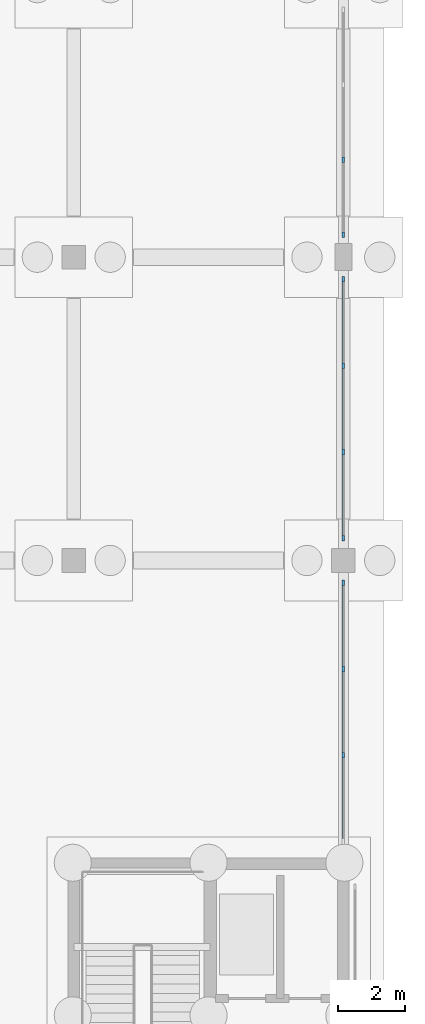
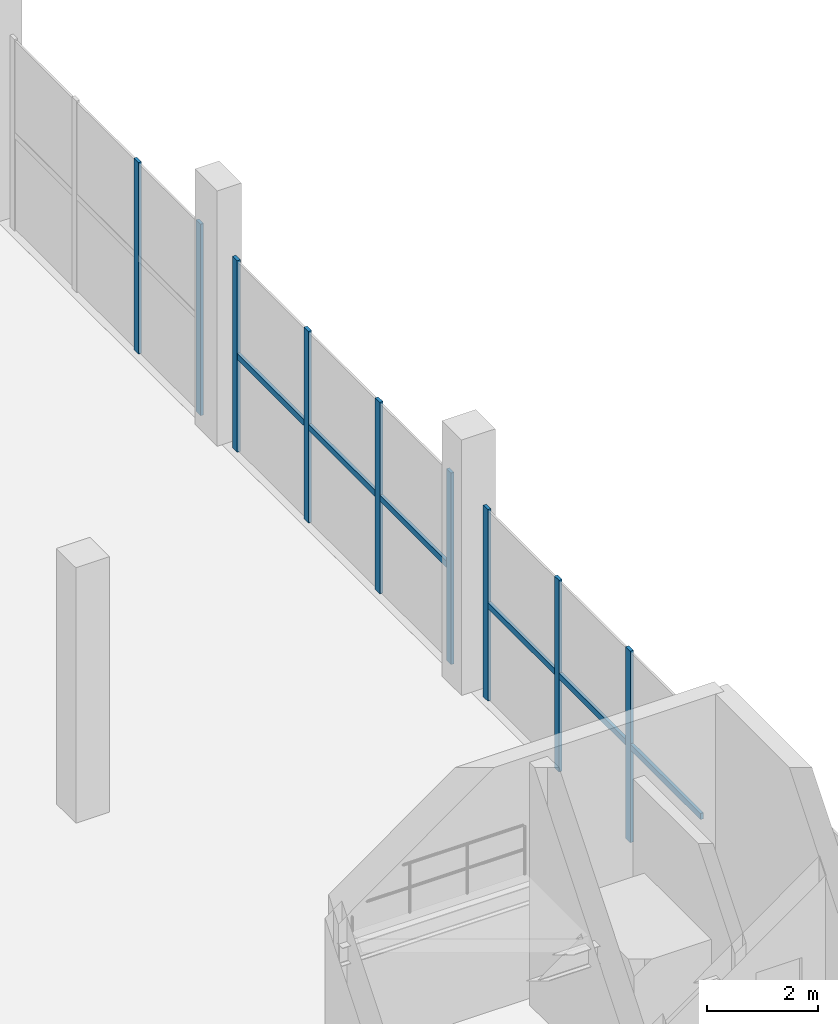
# One storey, part 57 of 98: 11 members, 3 elements without a shape of their own.
"""IFC4 building model written with IfcOpenShell, lengths in metres."""

import ifcopenshell
import ifcopenshell.guid

model = None  # the IFC model being written
_history = None  # IfcOwnerHistory: only IFC2X3 demands one
_inside = {}  # id of a spatial element -> (the spatial element, [elements in it])
_under = {}  # id of a project, library or spatial element -> (it, [spatial elements below it])
_declared = {}  # id of a project -> (the project, [libraries it declares])
_typed = {}  # id of a type object -> (the type object, [elements of that type])
_made_of = {}  # id of a material, layer set ... -> (it, [elements and type objects made of it])


def new_model(schema):
    """Start an empty IFC model of exactly this schema.

    Asked for "IFC4X3", IfcOpenShell would pick the latest addendum, in which some entities
    have other attributes; the version numbers below select the first issue.
    IFC2X3 requires an IfcOwnerHistory on every rooted entity: one is made here for all.
    """
    global model, _history
    if schema == "IFC4X3":
        model = ifcopenshell.file(schema_version=(4, 3, 0, 0))
    else:
        model = ifcopenshell.file(schema=schema)
    _inside.clear()
    _under.clear()
    _declared.clear()
    _typed.clear()
    _made_of.clear()
    _history = None
    if model.schema == "IFC2X3":
        org = make("IfcOrganization", Name="unknown")
        user = make(
            "IfcPersonAndOrganization",
            ThePerson=make("IfcPerson", FamilyName="unknown"),
            TheOrganization=org,
        )
        app = make(
            "IfcApplication",
            ApplicationDeveloper=org,
            Version="unknown",
            ApplicationFullName="unknown",
            ApplicationIdentifier="unknown",
        )
        _history = make(
            "IfcOwnerHistory",
            OwningUser=user,
            OwningApplication=app,
            ChangeAction="ADDED",
            CreationDate=0,
        )
    return model


def make(cls, **values):
    """One entity of the class cls with the attributes given. An attribute that is None is left unset."""
    return model.create_entity(
        cls, **{name: value for name, value in values.items() if value is not None}
    )


def rooted(cls, **values):
    """An entity with a GlobalId (a new one), such as an element, a storey or a relation."""
    return make(cls, GlobalId=ifcopenshell.guid.new(), OwnerHistory=_history, **values)


def si_unit(unit_type, name, prefix=None):
    """IfcSIUnit, for example si_unit("LENGTHUNIT", "METRE", prefix="MILLI")."""
    return make("IfcSIUnit", UnitType=unit_type, Prefix=prefix, Name=name)


def derived_unit(unit_type, elements):
    """IfcDerivedUnit: a product of units, each with its exponent."""
    return make(
        "IfcDerivedUnit",
        Elements=[
            make("IfcDerivedUnitElement", Unit=unit, Exponent=power)
            for unit, power in elements
        ],
        UnitType=unit_type,
    )


def assignment(units):
    """IfcUnitAssignment: the units of a project."""
    return None if units is None else make("IfcUnitAssignment", Units=units)


def point(xyz):
    """IfcCartesianPoint."""
    return None if xyz is None else make("IfcCartesianPoint", Coordinates=xyz)


def direction(xyz):
    """IfcDirection."""
    return None if xyz is None else make("IfcDirection", DirectionRatios=xyz)


def frame(location, z_axis=None, x_axis=None):
    """IfcAxis2Placement3D, a coordinate frame: its origin and axes. An axis left out is left unset."""
    return make(
        "IfcAxis2Placement3D",
        Location=point(location),
        Axis=direction(z_axis),
        RefDirection=direction(x_axis),
    )


def frame_2d(location, x_axis=None):
    """IfcAxis2Placement2D, a coordinate frame in the plane: its origin and x axis."""
    return make(
        "IfcAxis2Placement2D", Location=point(location), RefDirection=direction(x_axis)
    )


def origin():
    """The frame at (0, 0, 0) with its axes left unset."""
    return frame((0.0, 0.0, 0.0))


def origin_2d():
    """The frame at (0, 0) in the plane with its x axis left unset."""
    return frame_2d((0.0, 0.0))


def place(relative_to, where):
    """IfcLocalPlacement: puts the frame where relative to a parent placement (None: the world)."""
    return make(
        "IfcLocalPlacement", PlacementRelTo=relative_to, RelativePlacement=where
    )


def context(
    kind, dimensions, precision=None, world=None, true_north=None, identifier=None
):
    """IfcGeometricRepresentationContext, for example the 3D "Model" context."""
    return make(
        "IfcGeometricRepresentationContext",
        ContextIdentifier=identifier,
        ContextType=kind,
        CoordinateSpaceDimension=dimensions,
        Precision=precision,
        WorldCoordinateSystem=world,
        TrueNorth=true_north,
    )


def subcontext(parent, identifier, kind, view, scale=None):
    """IfcGeometricRepresentationSubContext, for example "Body" below "Model"."""
    return make(
        "IfcGeometricRepresentationSubContext",
        ContextIdentifier=identifier,
        ContextType=kind,
        ParentContext=parent,
        TargetScale=scale,
        TargetView=view,
    )


def project(units=None, contexts=None):
    """IfcProject with its units and contexts."""
    return rooted(
        "IfcProject",
        Name="project",
        RepresentationContexts=contexts,
        UnitsInContext=assignment(units),
    )


def spatial(cls, under=None, at=None, **own):
    """A site, building, storey or space (cls), placed at a placement, below another one or the project."""
    s = rooted(cls, ObjectPlacement=at, **own)
    if under is not None:
        _under.setdefault(under.id(), (under, []))[1].append(s)
    return s


def profile(cls, at=None, kind="AREA", **sizes):
    """A parametric profile (cls). Its sizes go by their IFC names, for example OverallWidth=200.0."""
    return make(cls, ProfileType=kind, Position=at, **sizes)


def rectangle(**sizes):
    """IfcRectangleProfileDef."""
    return profile("IfcRectangleProfileDef", **sizes)


def extrude(swept, where, along, depth):
    """IfcExtrudedAreaSolid: the profile swept, set in the frame where, extruded along a direction by depth."""
    return make(
        "IfcExtrudedAreaSolid",
        SweptArea=swept,
        Position=where,
        ExtrudedDirection=direction(along),
        Depth=depth,
    )


def shape(context_of_items, identifier, shape_type, items):
    """IfcShapeRepresentation: the items that make up one representation, for example the "Body"."""
    return make(
        "IfcShapeRepresentation",
        ContextOfItems=context_of_items,
        RepresentationIdentifier=identifier,
        RepresentationType=shape_type,
        Items=items,
    )


def material(Name=None, Category=None):
    """IfcMaterial."""
    return make("IfcMaterial", Name=Name, Category=Category)


def layer(
    of_material, thickness, ventilated=None, Name=None, Category=None, Priority=None
):
    """IfcMaterialLayer: one layer of a wall or slab, of a material (None: an air gap)."""
    return make(
        "IfcMaterialLayer",
        Material=of_material,
        LayerThickness=thickness,
        IsVentilated=ventilated,
        Name=Name,
        Category=Category,
        Priority=Priority,
    )


def layer_set(layers, Name=None):
    """IfcMaterialLayerSet."""
    return make("IfcMaterialLayerSet", MaterialLayers=layers, LayerSetName=Name)


def material_profile(
    of_material, cross_section, Name=None, Category=None, Priority=None
):
    """IfcMaterialProfile: a cross section and its material."""
    return make(
        "IfcMaterialProfile",
        Name=Name,
        Material=of_material,
        Profile=cross_section,
        Priority=Priority,
        Category=Category,
    )


def profile_set(profiles, Name=None, composite=None):
    """IfcMaterialProfileSet."""
    return make(
        "IfcMaterialProfileSet",
        Name=Name,
        MaterialProfiles=profiles,
        CompositeProfile=composite,
    )


def made_of(thing, what):
    """Note that an element or type object is made of a material, layer set ...; save() writes the relation."""
    if what is not None:
        _made_of.setdefault(what.id(), (what, []))[1].append(thing)
    return thing


def type_object(cls, material=None, **own):
    """A type object (cls), such as IfcWallType, which elements share."""
    return made_of(rooted(cls, **own), material)


def element(
    cls,
    number,
    at=None,
    inside=None,
    cuts=None,
    type_object=None,
    material=None,
    context=None,
    identifier="Body",
    shape_type=None,
    held_by="IfcProductDefinitionShape",
    body=None,
    shapes=None,
    **own,
):
    """One element of the class cls, such as IfcWall. Its Tag is "e" and its number.

    at: its placement. inside: the storey or other place that contains it. cuts: it is an
    opening in that element (IfcRelVoidsElement). A single representation is given by context,
    identifier, shape_type and body (its items); several are given by shapes. held_by: the class
    of the entity that holds the representations. save() writes the other relations.
    """
    e = rooted(cls, Tag="e%d" % number, ObjectPlacement=at, **own)
    if body is not None:
        shapes = [shape(context, identifier, shape_type, body)]
    if shapes is not None:
        e.Representation = make(held_by, Representations=shapes)
    if inside is not None:
        _inside.setdefault(inside.id(), (inside, []))[1].append(e)
    if cuts is not None:
        rooted(
            "IfcRelVoidsElement", RelatingBuildingElement=cuts, RelatedOpeningElement=e
        )
    if type_object is not None:
        _typed.setdefault(type_object.id(), (type_object, []))[1].append(e)
    return made_of(e, material)


def aggregate(whole, parts):
    """IfcRelAggregates: a whole, such as a stair, and the parts it consists of."""
    return rooted("IfcRelAggregates", RelatingObject=whole, RelatedObjects=parts)


def save(model, path):
    """Write the relations noted so far, then the file.

    IfcRelAggregates (storeys below a building ...), IfcRelContainedInSpatialStructure (elements
    in a storey), IfcRelDefinesByType, IfcRelAssociatesMaterial and IfcRelDeclares: one each for
    every whole, place, type object, material and project.
    """
    for whole, parts in _under.values():
        aggregate(whole, parts)
    for where, things in _inside.values():
        rooted(
            "IfcRelContainedInSpatialStructure",
            RelatedElements=things,
            RelatingStructure=where,
        )
    for kind, things in _typed.values():
        rooted("IfcRelDefinesByType", RelatedObjects=things, RelatingType=kind)
    for what, things in _made_of.values():
        rooted("IfcRelAssociatesMaterial", RelatedObjects=things, RelatingMaterial=what)
    for by, libraries in _declared.values():
        rooted("IfcRelDeclares", RelatingContext=by, RelatedDefinitions=libraries)
    model.write(path)


model = new_model("IFC4")

# Units and contexts
model_context = context("Model", 3, precision=1e-05, world=origin(), true_north=direction((0.0, 1.0)))
body_context = subcontext(model_context, "Body", "Model", "MODEL_VIEW")
ifc_project = project(units=[si_unit("LENGTHUNIT", "METRE"), si_unit("AREAUNIT", "SQUARE_METRE"), si_unit("VOLUMEUNIT", "CUBIC_METRE"), si_unit("PLANEANGLEUNIT", "RADIAN"), si_unit("MASSUNIT", "GRAM", prefix="KILO"), si_unit("THERMODYNAMICTEMPERATUREUNIT", "KELVIN"), derived_unit("THERMALTRANSMITTANCEUNIT", [(si_unit("POWERUNIT", "WATT"), 1), (si_unit("AREAUNIT", "SQUARE_METRE"), -1), (si_unit("THERMODYNAMICTEMPERATUREUNIT", "KELVIN"), -1)])], contexts=[model_context])

# Site, building, storey
site_placement = place(None, origin())
site = spatial("IfcSite", under=ifc_project, at=site_placement, CompositionType="ELEMENT")
building_placement = place(site_placement, origin())
building = spatial("IfcBuilding", under=site, at=building_placement, Name="Haiyu Intermodal Mobility Hub", CompositionType="ELEMENT")
storey_placement = place(building_placement, origin())
storey = spatial("IfcBuildingStorey", under=building, at=storey_placement, Name="L00", CompositionType="ELEMENT", Elevation=0.0)

# Curtain wall, members
ifc_material_1 = material(Name="Low-e laminated insulating glass", Category="glass")
ifc_layer = layer(ifc_material_1, 0.2099609375)
ifc_layer_set = layer_set([ifc_layer], Name="Low-e laminated insulating glass")
curtain_wall_type = type_object("IfcCurtainWallType", Name="CW-CW04", PredefinedType="NOTDEFINED", material=ifc_layer_set)
curtain_wall_1_placement = place(storey_placement, origin())
curtain_wall_1 = element("IfcCurtainWall", 1, at=curtain_wall_1_placement, inside=storey, type_object=curtain_wall_type, Name="Curtain Wall CW-V6E-L00-133", PredefinedType="NOTDEFINED")
ifc_material_2 = material(Name="Anodised aluminium 6063-T6", Category="aluminium")
ifc_material_profile_1 = material_profile(ifc_material_2, rectangle(XDim=0.06494140625, YDim=0.1650390625, at=origin_2d()), Name="ALU65x165")
ifc_profile_set_1 = profile_set([ifc_material_profile_1], Name="Anodised aluminium 6063-T6")
member_type_1 = type_object("IfcMemberType", Name="CWM-ML02", PredefinedType="MULLION", material=ifc_profile_set_1)
member_1_placement = place(storey_placement, frame((210.0, 125.219970703125, 0.0), z_axis=(0.0, 0.0, 1.0), x_axis=(1.0, 0.0, 0.0)))
member_1 = element("IfcMember", 2, at=member_1_placement, type_object=member_type_1, Name="CW-V6E-L00-133-ML02", PredefinedType="MULLION", context=body_context, shape_type="SweptSolid", body=[
    extrude(rectangle(XDim=0.06494140625, YDim=0.1650390625, at=origin_2d()), origin(), (0.0, 0.0, 1.0), 4.199951171875),
])
member_2_placement = place(storey_placement, frame((210.0, 127.780029296875, 0.0), z_axis=(0.0, 0.0, 1.0), x_axis=(1.0, 0.0, 0.0)))
member_2 = element("IfcMember", 3, at=member_2_placement, type_object=member_type_1, Name="CW-V6E-L00-133-ML03", PredefinedType="MULLION", context=body_context, shape_type="SweptSolid", body=[
    extrude(rectangle(XDim=0.06494140625, YDim=0.1650390625, at=origin_2d()), origin(), (0.0, 0.0, 1.0), 4.199951171875),
])
member_3_placement = place(storey_placement, frame((210.0, 130.340087890625, 0.0), z_axis=(0.0, 0.0, 1.0), x_axis=(1.0, 0.0, 0.0)))
member_3 = element("IfcMember", 4, at=member_3_placement, type_object=member_type_1, Name="CW-V6E-L00-133-ML04", PredefinedType="MULLION", context=body_context, shape_type="SweptSolid", body=[
    extrude(rectangle(XDim=0.06494140625, YDim=0.1650390625, at=origin_2d()), origin(), (0.0, 0.0, 1.0), 4.199951171875),
])

curtain_wall_2_placement = place(storey_placement, origin())
curtain_wall_2 = element("IfcCurtainWall", 5, at=curtain_wall_2_placement, inside=storey, type_object=curtain_wall_type, Name="Curtain Wall CW-V6E-L00-134", PredefinedType="NOTDEFINED")
member_4_placement = place(storey_placement, frame((210.0, 131.659912109375, 0.0), z_axis=(0.0, 0.0, 1.0), x_axis=(1.0, 0.0, 0.0)))
member_4 = element("IfcMember", 6, at=member_4_placement, type_object=member_type_1, Name="CW-V6E-L00-134-ML01", PredefinedType="MULLION", context=body_context, shape_type="SweptSolid", body=[
    extrude(rectangle(XDim=0.06494140625, YDim=0.1650390625, at=origin_2d()), origin(), (0.0, 0.0, 1.0), 4.199951171875),
])
member_5_placement = place(storey_placement, frame((210.0, 134.219970703125, 0.0), z_axis=(0.0, 0.0, 1.0), x_axis=(1.0, 0.0, 0.0)))
member_5 = element("IfcMember", 7, at=member_5_placement, type_object=member_type_1, Name="CW-V6E-L00-134-ML02", PredefinedType="MULLION", context=body_context, shape_type="SweptSolid", body=[
    extrude(rectangle(XDim=0.06494140625, YDim=0.1650390625, at=origin_2d()), origin(), (0.0, 0.0, 1.0), 4.199951171875),
])
member_6_placement = place(storey_placement, frame((210.0, 136.780029296875, 0.0), z_axis=(0.0, 0.0, 1.0), x_axis=(1.0, 0.0, 0.0)))
member_6 = element("IfcMember", 8, at=member_6_placement, type_object=member_type_1, Name="CW-V6E-L00-134-ML03", PredefinedType="MULLION", context=body_context, shape_type="SweptSolid", body=[
    extrude(rectangle(XDim=0.06494140625, YDim=0.1650390625, at=origin_2d()), origin(), (0.0, 0.0, 1.0), 4.199951171875),
])
member_7_placement = place(storey_placement, frame((210.0, 139.340087890625, 0.0), z_axis=(0.0, 0.0, 1.0), x_axis=(1.0, 0.0, 0.0)))
member_7 = element("IfcMember", 9, at=member_7_placement, type_object=member_type_1, Name="CW-V6E-L00-134-ML04", PredefinedType="MULLION", context=body_context, shape_type="SweptSolid", body=[
    extrude(rectangle(XDim=0.06494140625, YDim=0.1650390625, at=origin_2d()), origin(), (0.0, 0.0, 1.0), 4.199951171875),
])

curtain_wall_3_placement = place(storey_placement, origin())
curtain_wall_3 = element("IfcCurtainWall", 10, at=curtain_wall_3_placement, inside=storey, type_object=curtain_wall_type, Name="Curtain Wall CW-V6E-L00-135", PredefinedType="NOTDEFINED")
member_8_placement = place(storey_placement, frame((210.0, 140.659912109375, 0.0), z_axis=(0.0, 0.0, 1.0), x_axis=(1.0, 0.0, 0.0)))
member_8 = element("IfcMember", 11, at=member_8_placement, type_object=member_type_1, Name="CW-V6E-L00-135-ML01", PredefinedType="MULLION", context=body_context, shape_type="SweptSolid", body=[
    extrude(rectangle(XDim=0.06494140625, YDim=0.1650390625, at=origin_2d()), origin(), (0.0, 0.0, 1.0), 4.199951171875),
])
member_9_placement = place(storey_placement, frame((210.0, 142.886962890625, 0.0), z_axis=(0.0, 0.0, 1.0), x_axis=(1.0, 0.0, 0.0)))
member_9 = element("IfcMember", 12, at=member_9_placement, type_object=member_type_1, Name="CW-V6E-L00-135-ML02", PredefinedType="MULLION", context=body_context, shape_type="SweptSolid", body=[
    extrude(rectangle(XDim=0.06494140625, YDim=0.1650390625, at=origin_2d()), origin(), (0.0, 0.0, 1.0), 4.199951171875),
])
aggregate(curtain_wall_3, [member_8, member_9])

# Member
ifc_material_profile_2 = material_profile(ifc_material_2, rectangle(XDim=0.06494140625, YDim=0.135009765625, at=origin_2d()), Name="ALU65x135")
ifc_profile_set_2 = profile_set([ifc_material_profile_2], Name="Anodised aluminium 6063-T6")
member_type_2 = type_object("IfcMemberType", Name="CWM-TR02", PredefinedType="USERDEFINED", material=ifc_profile_set_2)
member_10_placement = place(storey_placement, frame((210.0, 122.6201171875, 2.10009765625), z_axis=(0.0, 1.0, 0.0), x_axis=(-1.0, 0.0, 0.0)))
member_10 = element("IfcMember", 13, at=member_10_placement, type_object=member_type_2, Name="CW-V6E-L00-133-TR01", ObjectType="TRANSOM", PredefinedType="USERDEFINED", context=body_context, shape_type="SweptSolid", body=[
    extrude(rectangle(XDim=0.06494140625, YDim=0.135009765625, at=origin_2d()), origin(), (0.0, 0.0, 1.0), 7.759765625),
])

aggregate(curtain_wall_1, [member_1, member_2, member_3, member_10])

member_11_placement = place(storey_placement, frame((210.0, 131.6201171875, 2.10009765625), z_axis=(0.0, 1.0, 0.0), x_axis=(-1.0, 0.0, 0.0)))
member_11 = element("IfcMember", 14, at=member_11_placement, type_object=member_type_2, Name="CW-V6E-L00-134-TR01", ObjectType="TRANSOM", PredefinedType="USERDEFINED", context=body_context, shape_type="SweptSolid", body=[
    extrude(rectangle(XDim=0.06494140625, YDim=0.135009765625, at=origin_2d()), origin(), (0.0, 0.0, 1.0), 7.759765625),
])

aggregate(curtain_wall_2, [member_4, member_5, member_6, member_7, member_11])

save(model, "model.ifc")
